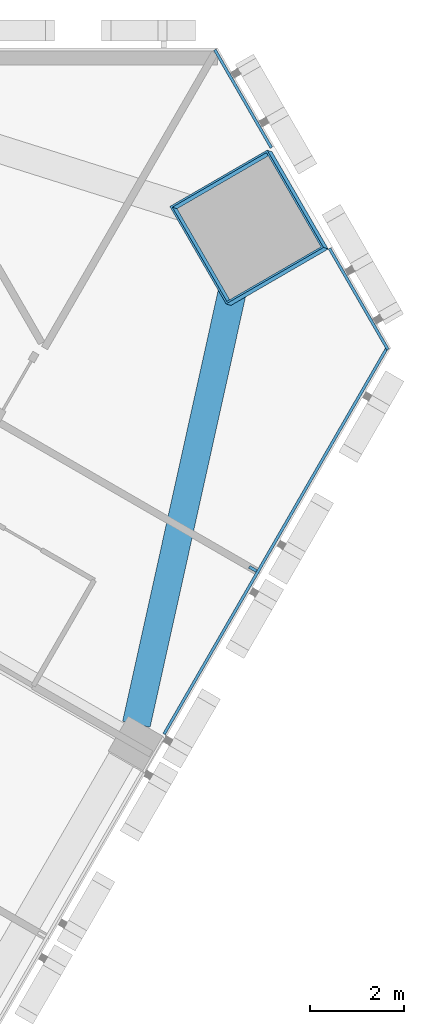
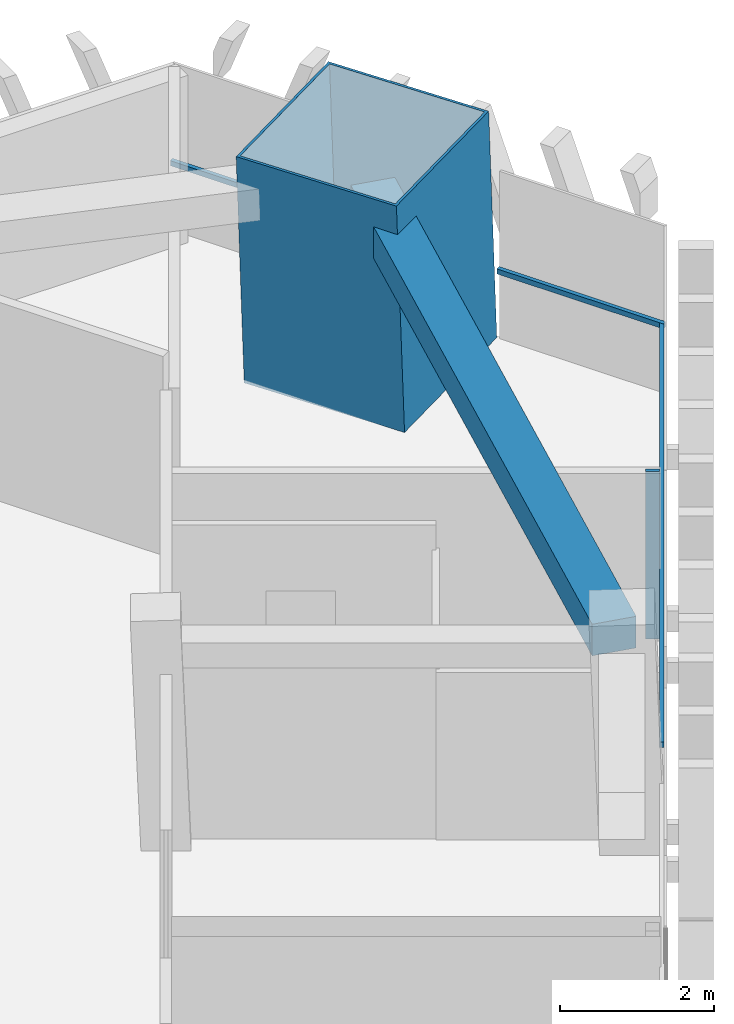
# One storey, part 7 of 16: 5 members, 1 beam, 2 elements without a shape of their own.
"""IFC4 building model written with IfcOpenShell, lengths in metres."""

from ifc_helpers import new_model, si_unit, direction, frame, origin, origin_2d, place, context, subcontext, project, spatial, rectangle, hollow_rectangle, extrude, material, layer, layer_set, material_profile, profile_set, type_object, element, aggregate, save


model = new_model("IFC4")

# Units and contexts
model_context = context("Model", 3, precision=1e-05, world=origin(), true_north=direction((0.0, 1.0)))
body_context = subcontext(model_context, "Body", "Model", "MODEL_VIEW")
ifc_project = project(units=[si_unit("LENGTHUNIT", "METRE"), si_unit("AREAUNIT", "SQUARE_METRE"), si_unit("VOLUMEUNIT", "CUBIC_METRE"), si_unit("PLANEANGLEUNIT", "RADIAN"), si_unit("MASSUNIT", "GRAM", prefix="KILO")], contexts=[model_context])

# Site, building, storey
site_placement = place(None, origin())
site = spatial("IfcSite", under=ifc_project, at=site_placement, CompositionType="ELEMENT")
building_placement = place(site_placement, origin())
building = spatial("IfcBuilding", under=site, at=building_placement, Name="Altiplano Prism Tower", CompositionType="ELEMENT")
storey_placement = place(building_placement, frame((0.0, 0.0, 149.39990234375)))
storey = spatial("IfcBuildingStorey", under=building, at=storey_placement, Name="L38", CompositionType="ELEMENT", Elevation=149.39990234375)

# Curtain wall, members
ifc_material_1 = material(Name="Aluminium and glass", Category="aluminium")
ifc_layer = layer(ifc_material_1, 0.280029296875)
ifc_layer_set = layer_set([ifc_layer], Name="Aluminium and glass")
curtain_wall_type = type_object("IfcCurtainWallType", Name="CW1 typical co-living unitised curtain wall", PredefinedType="NOTDEFINED", material=ifc_layer_set)
curtain_wall_1_placement = place(storey_placement, origin())
curtain_wall_1 = element("IfcCurtainWall", 1, at=curtain_wall_1_placement, inside=storey, type_object=curtain_wall_type, Name="CW1 curtain wall south-east face L38", PredefinedType="NOTDEFINED")
ifc_material_2 = material(Name="Aluminium", Category="aluminium")
ifc_material_profile_1 = material_profile(ifc_material_2, rectangle(XDim=0.179931640625, YDim=0.06494140625, at=origin_2d()), Name="CW1 mullion 65 x 180")
ifc_profile_set_1 = profile_set([ifc_material_profile_1], Name="Aluminium")
member_type_1 = type_object("IfcMemberType", Name="CW1 mullion 65 x 180", PredefinedType="MULLION", material=ifc_profile_set_1)
member_1_placement = place(storey_placement, frame((109.30224609375, 93.89404296875, 0.0), z_axis=(0.0, 0.0, 1.0), x_axis=(-0.86602540121, 0.500000004459, 0.0)))
member_1 = element("IfcMember", 2, at=member_1_placement, type_object=member_type_1, Name="CW1 mullion", PredefinedType="MULLION", context=body_context, shape_type="SweptSolid", body=[
    extrude(rectangle(XDim=0.179931640625, YDim=0.06494140625, at=origin_2d()), origin(), (0.0, 0.0, 1.0), 2.650146484375),
])
ifc_material_profile_2 = material_profile(ifc_material_2, rectangle(XDim=0.06005859375, YDim=0.080078125, at=origin_2d()), Name="CW1 transom 80 x 60")
ifc_profile_set_2 = profile_set([ifc_material_profile_2], Name="Aluminium")
member_type_2 = type_object("IfcMemberType", Name="CW1 transom 80 x 60", PredefinedType="USERDEFINED", material=ifc_profile_set_2)
member_2_placement = place(storey_placement, frame((107.408447265625, 90.373779296875, 1.10009765625), z_axis=(0.5000036028, 0.866023323697, 0.0), x_axis=(-0.866023323697, 0.5000036028, 0.0)))
member_2 = element("IfcMember", 3, at=member_2_placement, type_object=member_type_2, Name="CW1 transom", ObjectType="TRANSOM", PredefinedType="USERDEFINED", context=body_context, shape_type="SweptSolid", body=[
    extrude(rectangle(XDim=0.06005859375, YDim=0.080078125, at=origin_2d()), origin(), (0.0, 0.0, 1.0), 9.54638671875),
])
aggregate(curtain_wall_1, [member_1, member_2])

curtain_wall_2_placement = place(storey_placement, origin())
curtain_wall_2 = element("IfcCurtainWall", 4, at=curtain_wall_2_placement, inside=storey, type_object=curtain_wall_type, Name="CW1 curtain wall north-east chamfer L38", PredefinedType="NOTDEFINED")
member_3_placement = place(storey_placement, frame((112.181640625, 98.571044921875, 1.10009765625), z_axis=(-0.500027802648, 0.866009351323, 0.0), x_axis=(-0.866009351323, -0.500027802648, 0.0)))
member_3 = element("IfcMember", 5, at=member_3_placement, type_object=member_type_2, Name="CW1 transom", ObjectType="TRANSOM", PredefinedType="USERDEFINED", context=body_context, shape_type="SweptSolid", body=[
    extrude(rectangle(XDim=0.06005859375, YDim=0.080078125, at=origin_2d()), origin(), (0.0, 0.0, 1.0), 2.491455078125),
])
member_4_placement = place(storey_placement, frame((109.69580078125, 102.87646484375, 1.10009765625), z_axis=(-0.499906488383, 0.86607938601, 0.0), x_axis=(-0.86607938601, -0.499906488383, 0.0)))
member_4 = element("IfcMember", 6, at=member_4_placement, type_object=member_type_2, Name="CW1 transom", ObjectType="TRANSOM", PredefinedType="USERDEFINED", context=body_context, shape_type="SweptSolid", body=[
    extrude(rectangle(XDim=0.06005859375, YDim=0.080078125, at=origin_2d()), origin(), (0.0, 0.0, 1.0), 2.41162109375),
])
aggregate(curtain_wall_2, [member_3, member_4])

# Beam
ifc_material_3 = material(Name="Concrete C60/75", Category="concrete")
ifc_material_profile_3 = material_profile(ifc_material_3, rectangle(XDim=0.60009765625, YDim=0.5, at=origin_2d()), Name="Edge beam 600x500")
ifc_profile_set_3 = profile_set([ifc_material_profile_3], Name="Concrete C60/75")
beam_type = type_object("IfcBeamType", Name="Edge beam 600x500", PredefinedType="SPANDREL", material=ifc_profile_set_3)
beam_placement = place(storey_placement, frame((106.817626953125, 90.583251953125, 2.900146484375), z_axis=(0.21645368481, 0.976292887576, 0.0), x_axis=(-0.976292887576, 0.21645368481, 0.0)))
element("IfcBeam", 7, at=beam_placement, inside=storey, type_object=beam_type, Name="Edge beam P24-M2 L39", PredefinedType="SPANDREL", context=body_context, shape_type="SweptSolid", body=[
    extrude(rectangle(XDim=0.60009765625, YDim=0.5, at=origin_2d()), origin(), (0.0, 0.0, 1.0), 10.41064453125),
])

# Member
ifc_material_4 = material(Name="Steel S460", Category="steel")
ifc_material_profile_4 = material_profile(ifc_material_4, hollow_rectangle(XDim=2.39990234375, YDim=2.39990234375, WallThickness=0.0400390625, at=origin_2d()), Name="Mega column tube 2400")
ifc_profile_set_4 = profile_set([ifc_material_profile_4], Name="Steel S460")
member_type_3 = type_object("IfcMemberType", Name="Mega column tube 2400", PredefinedType="POST", material=ifc_profile_set_4)
member_5_placement = place(storey_placement, frame((109.270751953125, 101.153076171875, 0.0), z_axis=(-0.028401814599, 0.009218727412, 0.999554076572), x_axis=(0.50074981516, -0.865307099728, 0.022209137265)))
element("IfcMember", 8, at=member_5_placement, inside=storey, type_object=member_type_3, Name="Mega column tube M2 L38", PredefinedType="POST", context=body_context, shape_type="SweptSolid", body=[
    extrude(hollow_rectangle(XDim=2.39990234375, YDim=2.39990234375, WallThickness=0.0400390625, at=origin_2d()), origin(), (0.0, 0.0, 1.0), 3.601806640625),
])

save(model, "model.ifc")
